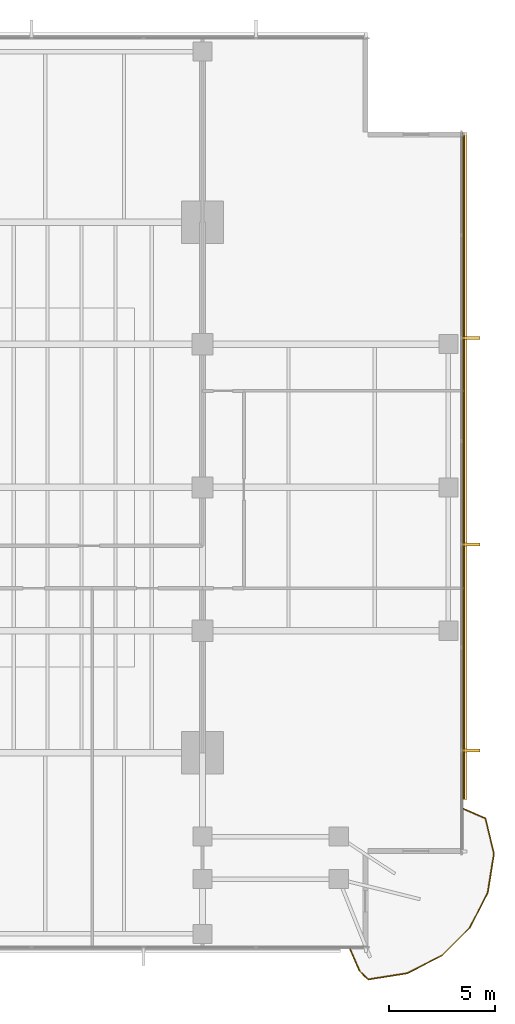
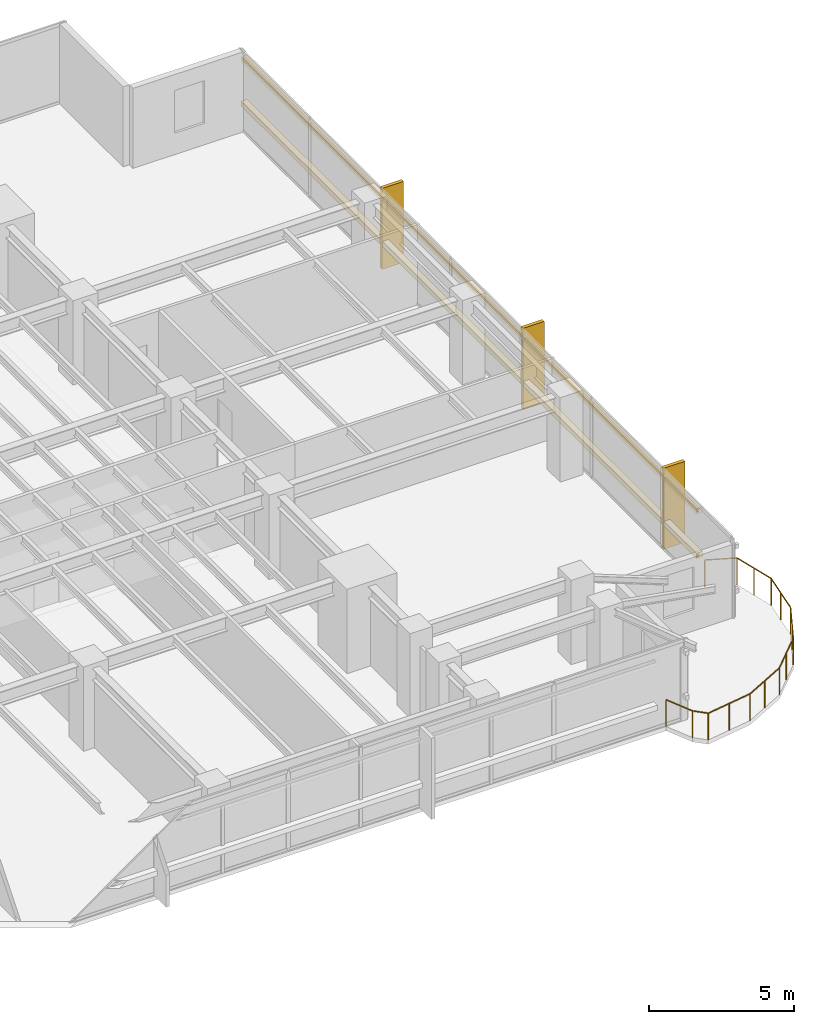
# One storey, part 14 of 15: 9 railings, 5 coverings, 2 shading devices.
"""IFC4 building model written with IfcOpenShell, lengths in metres."""

from ifc_helpers import new_model, si_unit, direction, frame, origin, origin_2d, place, context, subcontext, project, spatial, polyline, rectangle, circle, outline, extrude, material, layer, layer_set, material_profile, profile_set, type_object, element, save


model = new_model("IFC4")

# Units and contexts
model_context = context("Model", 3, precision=1e-05, world=origin(), true_north=direction((0.0, 1.0)))
body_context = subcontext(model_context, "Body", "Model", "MODEL_VIEW")
ifc_project = project(units=[si_unit("LENGTHUNIT", "METRE"), si_unit("AREAUNIT", "SQUARE_METRE"), si_unit("VOLUMEUNIT", "CUBIC_METRE"), si_unit("PLANEANGLEUNIT", "RADIAN"), si_unit("MASSUNIT", "GRAM", prefix="KILO")], contexts=[model_context])

# Site, building, storey
site_placement = place(None, origin())
site = spatial("IfcSite", under=ifc_project, at=site_placement, CompositionType="ELEMENT")
building_placement = place(site_placement, origin())
building = spatial("IfcBuilding", under=site, at=building_placement, Name="Kinhvarn Gate Tower", CompositionType="ELEMENT")
storey_placement = place(building_placement, frame((0.0, 0.0, 109.35009765625)))
storey = spatial("IfcBuildingStorey", under=building, at=storey_placement, Name="L28", CompositionType="ELEMENT", Elevation=109.35009765625)

# Coverings
ifc_material_1 = material(Name="Fired architectural terracotta", Category="masonry")
ifc_layer_1 = layer(ifc_material_1, 0.239990234375)
ifc_layer_set_1 = layer_set([ifc_layer_1], Name="Fired architectural terracotta")
covering_type_1 = type_object("IfcCoveringType", Name="COV-BAG-220", PredefinedType="CLADDING", material=ifc_layer_set_1)
for number, where, name in (
    (1, (0.0, 0.0, 0.93994140625), "Terracotta Horizontal Sunscreen Band TBG-220 (L28)"),
    (2, (0.0, 0.0, 2.809814453125), "Terracotta Horizontal Sunscreen Band TBG-220 (L28)"),
):
    element("IfcCovering", number, at=place(storey_placement, frame(where)), inside=storey, type_object=covering_type_1, Name=name, PredefinedType="CLADDING", context=body_context, shape_type="SweptSolid", body=[
        extrude(outline(polyline([(50.429931640625, 10.55908203125), (50.429931640625, 41.9599609375), (50.669921875, 41.9599609375), (50.669921875, 10.55908203125), (50.429931640625, 10.55908203125)])), origin(), (0.0, 0.0, 1.0), 0.219970703125),
    ])
ifc_layer_2 = layer(ifc_material_1, 0.139892578125)
ifc_layer_set_2 = layer_set([ifc_layer_2], Name="Fired architectural terracotta")
covering_type_2 = type_object("IfcCoveringType", Name="COV-FIN-850", PredefinedType="CLADDING", material=ifc_layer_set_2)
covering_1_placement = place(storey_placement, frame((0.0, 0.0, -0.02001953125)))
element("IfcCovering", 3, at=covering_1_placement, inside=storey, type_object=covering_type_2, Name="Vertical Terracotta Expressive Fin TFN-850 (L28)", PredefinedType="CLADDING", context=body_context, shape_type="SweptSolid", body=[
    extrude(outline(polyline([(50.419921875, 12.787109375), (50.419921875, 12.927001953125), (51.27001953125, 12.927001953125), (51.27001953125, 12.787109375), (50.419921875, 12.787109375)])), origin(), (0.0, 0.0, 1.0), 3.409912109375),
])
covering_2_placement = place(storey_placement, frame((0.0, 0.0, -0.02001953125)))
element("IfcCovering", 4, at=covering_2_placement, inside=storey, type_object=covering_type_2, Name="Vertical Terracotta Expressive Fin TFN-850 (L28)", PredefinedType="CLADDING", context=body_context, shape_type="SweptSolid", body=[
    extrude(outline(polyline([(50.419921875, 22.50146484375), (50.419921875, 22.641357421875), (51.27001953125, 22.641357421875), (51.27001953125, 22.50146484375), (50.419921875, 22.50146484375)])), origin(), (0.0, 0.0, 1.0), 3.409912109375),
])
covering_3_placement = place(storey_placement, frame((0.0, 0.0, -0.02001953125)))
element("IfcCovering", 5, at=covering_3_placement, inside=storey, type_object=covering_type_2, Name="Vertical Terracotta Expressive Fin TFN-850 (L28)", PredefinedType="CLADDING", context=body_context, shape_type="SweptSolid", body=[
    extrude(outline(polyline([(50.419921875, 32.2158203125), (50.419921875, 32.355712890625), (51.27001953125, 32.355712890625), (51.27001953125, 32.2158203125), (50.419921875, 32.2158203125)])), origin(), (0.0, 0.0, 1.0), 3.409912109375),
])

# Railings
ifc_material_2 = material(Name="Clear low-e double glazing", Category="glass")
railing_type = type_object("IfcRailingType", Name="RL-BAL-1150", PredefinedType="BALUSTRADE", material=ifc_material_2)
railing_1_placement = place(storey_placement, frame((45.14892578125, 3.5, 0.0)))
element("IfcRailing", 6, at=railing_1_placement, inside=storey, type_object=railing_type, Name="S-Carve Balcony Guardrail Seg 1 (L28)", PredefinedType="BALUSTRADE", context=body_context, shape_type="SweptSolid", body=[
    extrude(circle(Radius=0.02392578125, at=origin_2d()), frame((0.0, 0.0, 1.1259765625), z_axis=(0.400408717019, -0.916336651747, 0.0), x_axis=(0.916336651747, 0.400408717019, 0.0)), (0.0, 0.0, 1.0), 1.124267578125),
    extrude(circle(Radius=0.02099609375, at=origin_2d()), origin(), (0.0, 0.0, 1.0), 1.101806640625),
    extrude(circle(Radius=0.02099609375, at=origin_2d()), frame((0.4501953125, -1.0302734375, 0.0)), (0.0, 0.0, 1.0), 1.101806640625),
])
railing_2_placement = place(storey_placement, frame((45.59912109375, 2.4697265625, 0.0)))
element("IfcRailing", 7, at=railing_2_placement, inside=storey, type_object=railing_type, Name="S-Carve Balcony Guardrail Seg 2 (L28)", PredefinedType="BALUSTRADE", context=body_context, shape_type="SweptSolid", body=[
    extrude(circle(Radius=0.02392578125, at=origin_2d()), frame((0.0, 0.0, 1.1259765625), z_axis=(0.707322132711, -0.706891364056, 0.0), x_axis=(0.706891364056, 0.707322132711, 0.0)), (0.0, 0.0, 1.0), 0.566650390625),
    extrude(circle(Radius=0.02099609375, at=origin_2d()), origin(), (0.0, 0.0, 1.0), 1.101806640625),
    extrude(circle(Radius=0.02099609375, at=origin_2d()), frame((0.40087890625, -0.400634765625, 0.0)), (0.0, 0.0, 1.0), 1.101806640625),
])
railing_3_placement = place(storey_placement, frame((46.0, 2.069091796875, 0.0)))
element("IfcRailing", 8, at=railing_3_placement, inside=storey, type_object=railing_type, Name="S-Carve Balcony Guardrail Seg 3 (L28)", PredefinedType="BALUSTRADE", context=body_context, shape_type="SweptSolid", body=[
    extrude(circle(Radius=0.02392578125, at=origin_2d()), frame((0.0, 0.0, 1.1259765625), z_axis=(0.987688177835, 0.156435492666, 0.0), x_axis=(-0.156435492666, 0.987688177835, 0.0)), (0.0, 0.0, 1.0), 1.855712890625),
    extrude(circle(Radius=0.02099609375, at=origin_2d()), origin(), (0.0, 0.0, 1.0), 1.101806640625),
    extrude(circle(Radius=0.02099609375, at=origin_2d()), frame((0.91650390625, 0.14501953125, 0.0)), (0.0, 0.0, 1.0), 1.101806640625),
    extrude(circle(Radius=0.02099609375, at=origin_2d()), frame((1.832763671875, 0.290283203125, 0.0)), (0.0, 0.0, 1.0), 1.101806640625),
])
railing_4_placement = place(storey_placement, frame((47.832763671875, 2.359375, 0.0)))
element("IfcRailing", 9, at=railing_4_placement, inside=storey, type_object=railing_type, Name="S-Carve Balcony Guardrail Seg 4 (L28)", PredefinedType="BALUSTRADE", context=body_context, shape_type="SweptSolid", body=[
    extrude(circle(Radius=0.02392578125, at=origin_2d()), frame((0.0, 0.0, 1.1259765625), z_axis=(0.891033472097, 0.45393760761, 0.0), x_axis=(-0.45393760761, 0.891033472097, 0.0)), (0.0, 0.0, 1.0), 1.85546875),
    extrude(circle(Radius=0.02099609375, at=origin_2d()), origin(), (0.0, 0.0, 1.0), 1.101806640625),
    extrude(circle(Radius=0.02099609375, at=origin_2d()), frame((0.82666015625, 0.421142578125, 0.0)), (0.0, 0.0, 1.0), 1.101806640625),
    extrude(circle(Radius=0.02099609375, at=origin_2d()), frame((1.6533203125, 0.84228515625, 0.0)), (0.0, 0.0, 1.0), 1.101806640625),
])
railing_5_placement = place(storey_placement, frame((49.486083984375, 3.20166015625, 0.0)))
element("IfcRailing", 10, at=railing_5_placement, inside=storey, type_object=railing_type, Name="S-Carve Balcony Guardrail Seg 5 (L28)", PredefinedType="BALUSTRADE", context=body_context, shape_type="SweptSolid", body=[
    extrude(circle(Radius=0.02392578125, at=origin_2d()), frame((0.0, 0.0, 1.1259765625), z_axis=(0.707106781187, 0.707106781187, 0.0), x_axis=(-0.707106781187, 0.707106781187, 0.0)), (0.0, 0.0, 1.0), 1.855712890625),
    extrude(circle(Radius=0.02099609375, at=origin_2d()), origin(), (0.0, 0.0, 1.0), 1.101806640625),
    extrude(circle(Radius=0.02099609375, at=origin_2d()), frame((0.65625, 0.65625, 0.0)), (0.0, 0.0, 1.0), 1.101806640625),
    extrude(circle(Radius=0.02099609375, at=origin_2d()), frame((1.312255859375, 1.312255859375, 0.0)), (0.0, 0.0, 1.0), 1.101806640625),
])
railing_6_placement = place(storey_placement, frame((50.79833984375, 4.513916015625, 0.0)))
element("IfcRailing", 11, at=railing_6_placement, inside=storey, type_object=railing_type, Name="S-Carve Balcony Guardrail Seg 6 (L28)", PredefinedType="BALUSTRADE", context=body_context, shape_type="SweptSolid", body=[
    extrude(circle(Radius=0.02392578125, at=origin_2d()), frame((0.0, 0.0, 1.1259765625), z_axis=(0.45393760761, 0.891033472097, 0.0), x_axis=(-0.891033472097, 0.45393760761, 0.0)), (0.0, 0.0, 1.0), 1.85546875),
    extrude(circle(Radius=0.02099609375, at=origin_2d()), origin(), (0.0, 0.0, 1.0), 1.101806640625),
    extrude(circle(Radius=0.02099609375, at=origin_2d()), frame((0.421142578125, 0.82666015625, 0.0)), (0.0, 0.0, 1.0), 1.101806640625),
    extrude(circle(Radius=0.02099609375, at=origin_2d()), frame((0.84228515625, 1.6533203125, 0.0)), (0.0, 0.0, 1.0), 1.101806640625),
])
railing_7_placement = place(storey_placement, frame((51.640625, 6.167236328125, 0.0)))
element("IfcRailing", 12, at=railing_7_placement, inside=storey, type_object=railing_type, Name="S-Carve Balcony Guardrail Seg 7 (L28)", PredefinedType="BALUSTRADE", context=body_context, shape_type="SweptSolid", body=[
    extrude(circle(Radius=0.02392578125, at=origin_2d()), frame((0.0, 0.0, 1.1259765625), z_axis=(0.156435492666, 0.987688177835, 0.0), x_axis=(-0.987688177835, 0.156435492666, 0.0)), (0.0, 0.0, 1.0), 1.855712890625),
    extrude(circle(Radius=0.02099609375, at=origin_2d()), origin(), (0.0, 0.0, 1.0), 1.101806640625),
    extrude(circle(Radius=0.02099609375, at=origin_2d()), frame((0.14501953125, 0.91650390625, 0.0)), (0.0, 0.0, 1.0), 1.101806640625),
    extrude(circle(Radius=0.02099609375, at=origin_2d()), frame((0.290283203125, 1.832763671875, 0.0)), (0.0, 0.0, 1.0), 1.101806640625),
])
railing_8_placement = place(storey_placement, frame((51.930908203125, 8.0, 0.0)))
element("IfcRailing", 13, at=railing_8_placement, inside=storey, type_object=railing_type, Name="S-Carve Balcony Guardrail Seg 8 (L28)", PredefinedType="BALUSTRADE", context=body_context, shape_type="SweptSolid", body=[
    extrude(circle(Radius=0.02392578125, at=origin_2d()), frame((0.0, 0.0, 1.1259765625), z_axis=(-0.234752403369, 0.972055198593, 0.0), x_axis=(-0.972055198593, -0.234752403369, 0.0)), (0.0, 0.0, 1.0), 1.70654296875),
    extrude(circle(Radius=0.02099609375, at=origin_2d()), origin(), (0.0, 0.0, 1.0), 1.101806640625),
    extrude(circle(Radius=0.02099609375, at=origin_2d()), frame((-0.2001953125, 0.82958984375, 0.0)), (0.0, 0.0, 1.0), 1.101806640625),
    extrude(circle(Radius=0.02099609375, at=origin_2d()), frame((-0.400634765625, 1.658935546875, 0.0)), (0.0, 0.0, 1.0), 1.101806640625),
])
railing_9_placement = place(storey_placement, frame((51.5302734375, 9.658935546875, 0.0)))
element("IfcRailing", 14, at=railing_9_placement, inside=storey, type_object=railing_type, Name="S-Carve Balcony Guardrail Seg 9 (L28)", PredefinedType="BALUSTRADE", context=body_context, shape_type="SweptSolid", body=[
    extrude(circle(Radius=0.02392578125, at=origin_2d()), frame((0.0, 0.0, 1.1259765625), z_axis=(-0.916416311699, 0.400226365512, 0.0), x_axis=(-0.400226365512, -0.916416311699, 0.0)), (0.0, 0.0, 1.0), 1.124267578125),
    extrude(circle(Radius=0.02099609375, at=origin_2d()), origin(), (0.0, 0.0, 1.0), 1.101806640625),
    extrude(circle(Radius=0.02099609375, at=origin_2d()), frame((-1.0302734375, 0.449951171875, 0.0)), (0.0, 0.0, 1.0), 1.101806640625),
])

# Shading devices
ifc_material_profile = material_profile(ifc_material_1, rectangle(XDim=0.050048828125, YDim=0.1201171875, at=origin_2d()), Name="TC 50x120")
ifc_profile_set = profile_set([ifc_material_profile], Name="Fired architectural terracotta")
shading_device_type = type_object("IfcShadingDeviceType", Name="SHD-BAG-140", PredefinedType="USERDEFINED", material=ifc_profile_set)
for number, where, z_axis, x_axis, name in (
    (15, (50.5, 10.55908203125, 1.0498046875), (0.0, 1.0, 0.0), (-1.0, 0.0, 0.0), "Upper Tower Terracotta Baguette Screen Rod 50x120 mm (L28)"),
    (16, (50.5, 10.55908203125, 2.919921875), (0.0, 1.0, 0.0), (-1.0, 0.0, 0.0), "Upper Tower Terracotta Baguette Screen Rod 50x120 mm (L28)"),
):
    element("IfcShadingDevice", number, at=place(storey_placement, frame(where, z_axis=z_axis, x_axis=x_axis)), inside=storey, type_object=shading_device_type, Name=name, ObjectType="BAGUETTE", PredefinedType="USERDEFINED", context=body_context, shape_type="SweptSolid", body=[
        extrude(rectangle(XDim=0.050048828125, YDim=0.1201171875, at=origin_2d()), origin(), (0.0, 0.0, 1.0), 31.40087890625),
    ])

save(model, "model.ifc")
